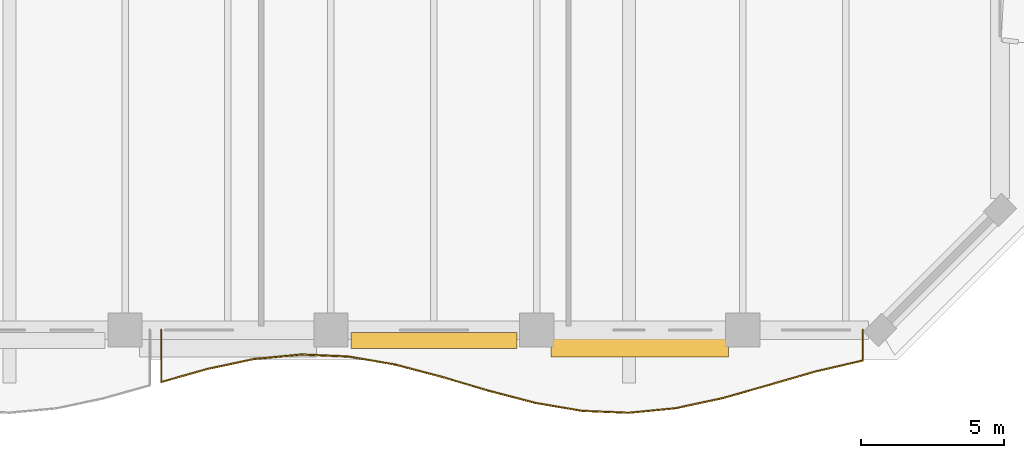
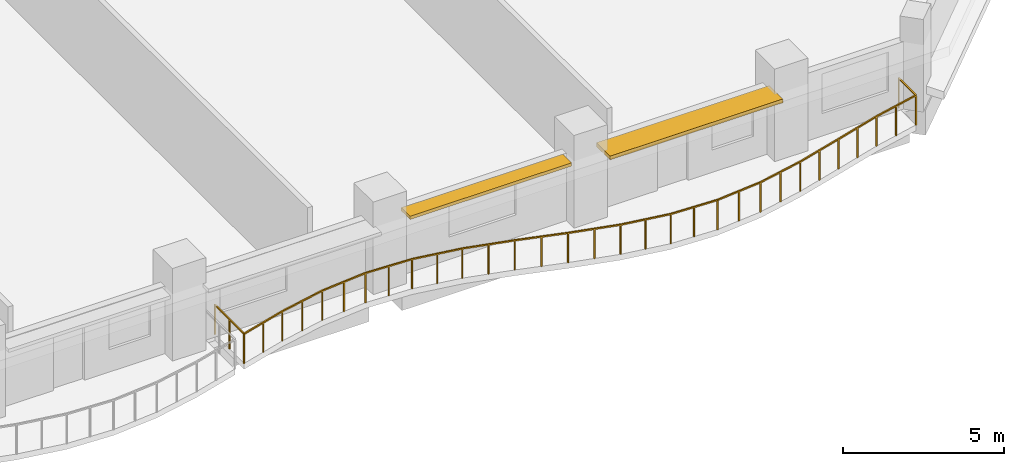
# One storey, part 14 of 15: 2 shading devices, 1 railing.
"""IFC4 building model written with IfcOpenShell, lengths in metres."""

import ifcopenshell
import ifcopenshell.guid

model = None  # the IFC model being written
_history = None  # IfcOwnerHistory: only IFC2X3 demands one
_inside = {}  # id of a spatial element -> (the spatial element, [elements in it])
_under = {}  # id of a project, library or spatial element -> (it, [spatial elements below it])
_declared = {}  # id of a project -> (the project, [libraries it declares])
_typed = {}  # id of a type object -> (the type object, [elements of that type])
_made_of = {}  # id of a material, layer set ... -> (it, [elements and type objects made of it])


def new_model(schema):
    """Start an empty IFC model of exactly this schema.

    Asked for "IFC4X3", IfcOpenShell would pick the latest addendum, in which some entities
    have other attributes; the version numbers below select the first issue.
    IFC2X3 requires an IfcOwnerHistory on every rooted entity: one is made here for all.
    """
    global model, _history
    if schema == "IFC4X3":
        model = ifcopenshell.file(schema_version=(4, 3, 0, 0))
    else:
        model = ifcopenshell.file(schema=schema)
    _inside.clear()
    _under.clear()
    _declared.clear()
    _typed.clear()
    _made_of.clear()
    _history = None
    if model.schema == "IFC2X3":
        org = make("IfcOrganization", Name="unknown")
        user = make(
            "IfcPersonAndOrganization",
            ThePerson=make("IfcPerson", FamilyName="unknown"),
            TheOrganization=org,
        )
        app = make(
            "IfcApplication",
            ApplicationDeveloper=org,
            Version="unknown",
            ApplicationFullName="unknown",
            ApplicationIdentifier="unknown",
        )
        _history = make(
            "IfcOwnerHistory",
            OwningUser=user,
            OwningApplication=app,
            ChangeAction="ADDED",
            CreationDate=0,
        )
    return model


def make(cls, **values):
    """One entity of the class cls with the attributes given. An attribute that is None is left unset."""
    return model.create_entity(
        cls, **{name: value for name, value in values.items() if value is not None}
    )


def rooted(cls, **values):
    """An entity with a GlobalId (a new one), such as an element, a storey or a relation."""
    return make(cls, GlobalId=ifcopenshell.guid.new(), OwnerHistory=_history, **values)


def si_unit(unit_type, name, prefix=None):
    """IfcSIUnit, for example si_unit("LENGTHUNIT", "METRE", prefix="MILLI")."""
    return make("IfcSIUnit", UnitType=unit_type, Prefix=prefix, Name=name)


def assignment(units):
    """IfcUnitAssignment: the units of a project."""
    return None if units is None else make("IfcUnitAssignment", Units=units)


def point(xyz):
    """IfcCartesianPoint."""
    return None if xyz is None else make("IfcCartesianPoint", Coordinates=xyz)


def direction(xyz):
    """IfcDirection."""
    return None if xyz is None else make("IfcDirection", DirectionRatios=xyz)


def frame(location, z_axis=None, x_axis=None):
    """IfcAxis2Placement3D, a coordinate frame: its origin and axes. An axis left out is left unset."""
    return make(
        "IfcAxis2Placement3D",
        Location=point(location),
        Axis=direction(z_axis),
        RefDirection=direction(x_axis),
    )


def frame_2d(location, x_axis=None):
    """IfcAxis2Placement2D, a coordinate frame in the plane: its origin and x axis."""
    return make(
        "IfcAxis2Placement2D", Location=point(location), RefDirection=direction(x_axis)
    )


def origin():
    """The frame at (0, 0, 0) with its axes left unset."""
    return frame((0.0, 0.0, 0.0))


def origin_2d():
    """The frame at (0, 0) in the plane with its x axis left unset."""
    return frame_2d((0.0, 0.0))


def place(relative_to, where):
    """IfcLocalPlacement: puts the frame where relative to a parent placement (None: the world)."""
    return make(
        "IfcLocalPlacement", PlacementRelTo=relative_to, RelativePlacement=where
    )


def context(
    kind, dimensions, precision=None, world=None, true_north=None, identifier=None
):
    """IfcGeometricRepresentationContext, for example the 3D "Model" context."""
    return make(
        "IfcGeometricRepresentationContext",
        ContextIdentifier=identifier,
        ContextType=kind,
        CoordinateSpaceDimension=dimensions,
        Precision=precision,
        WorldCoordinateSystem=world,
        TrueNorth=true_north,
    )


def subcontext(parent, identifier, kind, view, scale=None):
    """IfcGeometricRepresentationSubContext, for example "Body" below "Model"."""
    return make(
        "IfcGeometricRepresentationSubContext",
        ContextIdentifier=identifier,
        ContextType=kind,
        ParentContext=parent,
        TargetScale=scale,
        TargetView=view,
    )


def project(units=None, contexts=None):
    """IfcProject with its units and contexts."""
    return rooted(
        "IfcProject",
        Name="project",
        RepresentationContexts=contexts,
        UnitsInContext=assignment(units),
    )


def spatial(cls, under=None, at=None, **own):
    """A site, building, storey or space (cls), placed at a placement, below another one or the project."""
    s = rooted(cls, ObjectPlacement=at, **own)
    if under is not None:
        _under.setdefault(under.id(), (under, []))[1].append(s)
    return s


def profile(cls, at=None, kind="AREA", **sizes):
    """A parametric profile (cls). Its sizes go by their IFC names, for example OverallWidth=200.0."""
    return make(cls, ProfileType=kind, Position=at, **sizes)


def rectangle(**sizes):
    """IfcRectangleProfileDef."""
    return profile("IfcRectangleProfileDef", **sizes)


def extrude(swept, where, along, depth):
    """IfcExtrudedAreaSolid: the profile swept, set in the frame where, extruded along a direction by depth."""
    return make(
        "IfcExtrudedAreaSolid",
        SweptArea=swept,
        Position=where,
        ExtrudedDirection=direction(along),
        Depth=depth,
    )


def shape(context_of_items, identifier, shape_type, items):
    """IfcShapeRepresentation: the items that make up one representation, for example the "Body"."""
    return make(
        "IfcShapeRepresentation",
        ContextOfItems=context_of_items,
        RepresentationIdentifier=identifier,
        RepresentationType=shape_type,
        Items=items,
    )


def material(Name=None, Category=None):
    """IfcMaterial."""
    return make("IfcMaterial", Name=Name, Category=Category)


def layer(
    of_material, thickness, ventilated=None, Name=None, Category=None, Priority=None
):
    """IfcMaterialLayer: one layer of a wall or slab, of a material (None: an air gap)."""
    return make(
        "IfcMaterialLayer",
        Material=of_material,
        LayerThickness=thickness,
        IsVentilated=ventilated,
        Name=Name,
        Category=Category,
        Priority=Priority,
    )


def layer_set(layers, Name=None):
    """IfcMaterialLayerSet."""
    return make("IfcMaterialLayerSet", MaterialLayers=layers, LayerSetName=Name)


def made_of(thing, what):
    """Note that an element or type object is made of a material, layer set ...; save() writes the relation."""
    if what is not None:
        _made_of.setdefault(what.id(), (what, []))[1].append(thing)
    return thing


def type_object(cls, material=None, **own):
    """A type object (cls), such as IfcWallType, which elements share."""
    return made_of(rooted(cls, **own), material)


def element(
    cls,
    number,
    at=None,
    inside=None,
    cuts=None,
    type_object=None,
    material=None,
    context=None,
    identifier="Body",
    shape_type=None,
    held_by="IfcProductDefinitionShape",
    body=None,
    shapes=None,
    **own,
):
    """One element of the class cls, such as IfcWall. Its Tag is "e" and its number.

    at: its placement. inside: the storey or other place that contains it. cuts: it is an
    opening in that element (IfcRelVoidsElement). A single representation is given by context,
    identifier, shape_type and body (its items); several are given by shapes. held_by: the class
    of the entity that holds the representations. save() writes the other relations.
    """
    e = rooted(cls, Tag="e%d" % number, ObjectPlacement=at, **own)
    if body is not None:
        shapes = [shape(context, identifier, shape_type, body)]
    if shapes is not None:
        e.Representation = make(held_by, Representations=shapes)
    if inside is not None:
        _inside.setdefault(inside.id(), (inside, []))[1].append(e)
    if cuts is not None:
        rooted(
            "IfcRelVoidsElement", RelatingBuildingElement=cuts, RelatedOpeningElement=e
        )
    if type_object is not None:
        _typed.setdefault(type_object.id(), (type_object, []))[1].append(e)
    return made_of(e, material)


def aggregate(whole, parts):
    """IfcRelAggregates: a whole, such as a stair, and the parts it consists of."""
    return rooted("IfcRelAggregates", RelatingObject=whole, RelatedObjects=parts)


def save(model, path):
    """Write the relations noted so far, then the file.

    IfcRelAggregates (storeys below a building ...), IfcRelContainedInSpatialStructure (elements
    in a storey), IfcRelDefinesByType, IfcRelAssociatesMaterial and IfcRelDeclares: one each for
    every whole, place, type object, material and project.
    """
    for whole, parts in _under.values():
        aggregate(whole, parts)
    for where, things in _inside.values():
        rooted(
            "IfcRelContainedInSpatialStructure",
            RelatedElements=things,
            RelatingStructure=where,
        )
    for kind, things in _typed.values():
        rooted("IfcRelDefinesByType", RelatedObjects=things, RelatingType=kind)
    for what, things in _made_of.values():
        rooted("IfcRelAssociatesMaterial", RelatedObjects=things, RelatingMaterial=what)
    for by, libraries in _declared.values():
        rooted("IfcRelDeclares", RelatingContext=by, RelatedDefinitions=libraries)
    model.write(path)


model = new_model("IFC4")

# Units and contexts
model_context = context("Model", 3, precision=1e-05, world=origin(), true_north=direction((0.0, 1.0)))
body_context = subcontext(model_context, "Body", "Model", "MODEL_VIEW")
ifc_project = project(units=[si_unit("LENGTHUNIT", "METRE"), si_unit("AREAUNIT", "SQUARE_METRE"), si_unit("VOLUMEUNIT", "CUBIC_METRE"), si_unit("PLANEANGLEUNIT", "RADIAN"), si_unit("MASSUNIT", "GRAM", prefix="KILO")], contexts=[model_context])

# Site, building, storey
site_placement = place(None, origin())
site = spatial("IfcSite", under=ifc_project, at=site_placement, CompositionType="ELEMENT")
building_placement = place(site_placement, origin())
building = spatial("IfcBuilding", under=site, at=building_placement, Name="Kaelvorn Grand Hotel", CompositionType="ELEMENT")
storey_placement = place(building_placement, frame((0.0, 0.0, 96.800048828125)))
storey = spatial("IfcBuildingStorey", under=building, at=storey_placement, Name="L22", CompositionType="ELEMENT", Elevation=96.800048828125)

# Railing
ifc_material_1 = material(Name="Stainless Steel", Category="steel")
railing_type = type_object("IfcRailingType", Name="RL-BALC-1150", PredefinedType="BALUSTRADE", material=ifc_material_1)
railing_placement = place(storey_placement, frame((54.666748046875, 0.0, 0.0)))
element("IfcRailing", 1, at=railing_placement, inside=storey, type_object=railing_type, Name="L22 Scalloped Wave Balcony Balustrade GR1-3", PredefinedType="BALUSTRADE", context=body_context, shape_type="SweptSolid", body=[
    extrude(rectangle(XDim=0.048095703125, YDim=0.048095703125, at=origin_2d()), frame((0.0, 0.0, 1.1259765625), z_axis=(0.0, -1.0, 0.0), x_axis=(1.0, 0.0, 0.0)), (0.0, 0.0, 1.0), 1.8193359375),
    extrude(rectangle(XDim=0.048095703125, YDim=0.048095703125, at=origin_2d()), frame((0.0, -1.8193359375, 1.1259765625), z_axis=(0.962241545122, 0.272197003733, 0.0), x_axis=(-0.272197003733, 0.962241545122, 0.0)), (0.0, 0.0, 1.0), 1.69970703125),
    extrude(rectangle(XDim=0.048095703125, YDim=0.048095703125, at=origin_2d()), frame((1.635498046875, -1.356689453125, 1.1259765625), z_axis=(0.978174805455, 0.207783661466, 0.0), x_axis=(-0.207783661466, 0.978174805455, 0.0)), (0.0, 0.0, 1.0), 1.671875),
    extrude(rectangle(XDim=0.048095703125, YDim=0.048095703125, at=origin_2d()), frame((3.27099609375, -1.00927734375, 1.1259765625), z_axis=(0.995523480824, 0.09451454453, 0.0), x_axis=(-0.09451454453, 0.995523480824, 0.0)), (0.0, 0.0, 1.0), 1.642822265625),
    extrude(rectangle(XDim=0.048095703125, YDim=0.048095703125, at=origin_2d()), frame((4.906494140625, -0.85400390625, 1.1259765625), z_axis=(0.999045154146, -0.043689586592, 0.0), x_axis=(0.043689586592, 0.999045154146, 0.0)), (0.0, 0.0, 1.0), 1.63720703125),
    extrude(rectangle(XDim=0.048095703125, YDim=0.048095703125, at=origin_2d()), frame((6.542236328125, -0.925537109375, 1.1259765625), z_axis=(0.985410815118, -0.170192612792, 0.0), x_axis=(0.170192612792, 0.985410815118, 0.0)), (0.0, 0.0, 1.0), 1.65966796875),
    extrude(rectangle(XDim=0.048095703125, YDim=0.048095703125, at=origin_2d()), frame((8.177734375, -1.2080078125, 1.1259765625), z_axis=(0.967035258154, -0.254642513119, 0.0), x_axis=(0.254642513119, 0.967035258154, 0.0)), (0.0, 0.0, 1.0), 1.691162109375),
    extrude(rectangle(XDim=0.048095703125, YDim=0.048095703125, at=origin_2d()), frame((9.813232421875, -1.638671875, 1.1259765625), z_axis=(0.959066322629, -0.283181547419, 0.0), x_axis=(0.283181547419, 0.959066322629, 0.0)), (0.0, 0.0, 1.0), 1.705322265625),
    extrude(rectangle(XDim=0.048095703125, YDim=0.048095703125, at=origin_2d()), frame((11.44873046875, -2.12158203125, 1.1259765625), z_axis=(0.967363797332, -0.253391561839, 0.0), x_axis=(0.253391561839, 0.967363797332, 0.0)), (0.0, 0.0, 1.0), 1.69091796875),
    extrude(rectangle(XDim=0.048095703125, YDim=0.048095703125, at=origin_2d()), frame((13.08447265625, -2.550048828125, 1.1259765625), z_axis=(0.985827384416, -0.167762832995, 0.0), x_axis=(0.167762832995, 0.985827384416, 0.0)), (0.0, 0.0, 1.0), 1.658935546875),
    extrude(rectangle(XDim=0.048095703125, YDim=0.048095703125, at=origin_2d()), frame((14.719970703125, -2.828369140625, 1.1259765625), z_axis=(0.9991706558, -0.040718553371, 0.0), x_axis=(0.040718553371, 0.9991706558, 0.0)), (0.0, 0.0, 1.0), 1.636962890625),
    extrude(rectangle(XDim=0.048095703125, YDim=0.048095703125, at=origin_2d()), frame((16.35546875, -2.89501953125, 1.1259765625), z_axis=(0.995253950263, 0.097311738681, 0.0), x_axis=(-0.097311738681, 0.995253950263, 0.0)), (0.0, 0.0, 1.0), 1.643310546875),
    extrude(rectangle(XDim=0.048095703125, YDim=0.048095703125, at=origin_2d()), frame((17.990966796875, -2.735107421875, 1.1259765625), z_axis=(0.977727596313, 0.209877934542, 0.0), x_axis=(-0.209877934542, 0.977727596313, 0.0)), (0.0, 0.0, 1.0), 1.6728515625),
    extrude(rectangle(XDim=0.048095703125, YDim=0.048095703125, at=origin_2d()), frame((19.62646484375, -2.384033203125, 1.1259765625), z_axis=(0.962026235743, 0.272956996141, 0.0), x_axis=(-0.272956996141, 0.962026235743, 0.0)), (0.0, 0.0, 1.0), 1.7001953125),
    extrude(rectangle(XDim=0.048095703125, YDim=0.048095703125, at=origin_2d()), frame((21.26220703125, -1.919921875, 1.1259765625), z_axis=(0.960494697942, 0.278298284625, 0.0), x_axis=(-0.278298284625, 0.960494697942, 0.0)), (0.0, 0.0, 1.0), 1.702880859375),
    extrude(rectangle(XDim=0.048095703125, YDim=0.048095703125, at=origin_2d()), frame((22.897705078125, -1.446044921875, 1.1259765625), z_axis=(0.974229174149, 0.225560449187, 0.0), x_axis=(-0.225560449187, 0.974229174149, 0.0)), (0.0, 0.0, 1.0), 1.6787109375),
    extrude(rectangle(XDim=0.048095703125, YDim=0.048095703125, at=origin_2d()), frame((24.533203125, -1.0673828125, 1.1259765625), z_axis=(0.0, 1.0, 0.0), x_axis=(-1.0, 0.0, 0.0)), (0.0, 0.0, 1.0), 1.0673828125),
    extrude(rectangle(XDim=0.0419921875, YDim=0.0419921875, at=origin_2d()), origin(), (0.0, 0.0, 1.0), 1.101806640625),
    extrude(rectangle(XDim=0.0419921875, YDim=0.0419921875, at=origin_2d()), frame((0.0, -0.90966796875, 0.0)), (0.0, 0.0, 1.0), 1.101806640625),
    extrude(rectangle(XDim=0.0419921875, YDim=0.0419921875, at=origin_2d()), frame((0.0, -1.8193359375, 0.0)), (0.0, 0.0, 1.0), 1.101806640625),
    extrude(rectangle(XDim=0.0419921875, YDim=0.0419921875, at=origin_2d()), frame((0.81787109375, -1.587890625, 0.0)), (0.0, 0.0, 1.0), 1.101806640625),
    extrude(rectangle(XDim=0.0419921875, YDim=0.0419921875, at=origin_2d()), frame((1.635498046875, -1.356689453125, 0.0)), (0.0, 0.0, 1.0), 1.101806640625),
    extrude(rectangle(XDim=0.0419921875, YDim=0.0419921875, at=origin_2d()), frame((2.453125, -1.18310546875, 0.0)), (0.0, 0.0, 1.0), 1.101806640625),
    extrude(rectangle(XDim=0.0419921875, YDim=0.0419921875, at=origin_2d()), frame((3.27099609375, -1.00927734375, 0.0)), (0.0, 0.0, 1.0), 1.101806640625),
    extrude(rectangle(XDim=0.0419921875, YDim=0.0419921875, at=origin_2d()), frame((4.0888671875, -0.931640625, 0.0)), (0.0, 0.0, 1.0), 1.101806640625),
    extrude(rectangle(XDim=0.0419921875, YDim=0.0419921875, at=origin_2d()), frame((4.906494140625, -0.85400390625, 0.0)), (0.0, 0.0, 1.0), 1.101806640625),
    extrude(rectangle(XDim=0.0419921875, YDim=0.0419921875, at=origin_2d()), frame((5.724365234375, -0.8896484375, 0.0)), (0.0, 0.0, 1.0), 1.101806640625),
    extrude(rectangle(XDim=0.0419921875, YDim=0.0419921875, at=origin_2d()), frame((6.542236328125, -0.925537109375, 0.0)), (0.0, 0.0, 1.0), 1.101806640625),
    extrude(rectangle(XDim=0.0419921875, YDim=0.0419921875, at=origin_2d()), frame((7.35986328125, -1.06689453125, 0.0)), (0.0, 0.0, 1.0), 1.101806640625),
    extrude(rectangle(XDim=0.0419921875, YDim=0.0419921875, at=origin_2d()), frame((8.177734375, -1.2080078125, 0.0)), (0.0, 0.0, 1.0), 1.101806640625),
    extrude(rectangle(XDim=0.0419921875, YDim=0.0419921875, at=origin_2d()), frame((8.99560546875, -1.42333984375, 0.0)), (0.0, 0.0, 1.0), 1.101806640625),
    extrude(rectangle(XDim=0.0419921875, YDim=0.0419921875, at=origin_2d()), frame((9.813232421875, -1.638671875, 0.0)), (0.0, 0.0, 1.0), 1.101806640625),
    extrude(rectangle(XDim=0.0419921875, YDim=0.0419921875, at=origin_2d()), frame((10.630859375, -1.880126953125, 0.0)), (0.0, 0.0, 1.0), 1.101806640625),
    extrude(rectangle(XDim=0.0419921875, YDim=0.0419921875, at=origin_2d()), frame((11.44873046875, -2.12158203125, 0.0)), (0.0, 0.0, 1.0), 1.101806640625),
    extrude(rectangle(XDim=0.0419921875, YDim=0.0419921875, at=origin_2d()), frame((12.2666015625, -2.3359375, 0.0)), (0.0, 0.0, 1.0), 1.101806640625),
    extrude(rectangle(XDim=0.0419921875, YDim=0.0419921875, at=origin_2d()), frame((13.08447265625, -2.550048828125, 0.0)), (0.0, 0.0, 1.0), 1.101806640625),
    extrude(rectangle(XDim=0.0419921875, YDim=0.0419921875, at=origin_2d()), frame((13.90234375, -2.689208984375, 0.0)), (0.0, 0.0, 1.0), 1.101806640625),
    extrude(rectangle(XDim=0.0419921875, YDim=0.0419921875, at=origin_2d()), frame((14.719970703125, -2.828369140625, 0.0)), (0.0, 0.0, 1.0), 1.101806640625),
    extrude(rectangle(XDim=0.0419921875, YDim=0.0419921875, at=origin_2d()), frame((15.53759765625, -2.86181640625, 0.0)), (0.0, 0.0, 1.0), 1.101806640625),
    extrude(rectangle(XDim=0.0419921875, YDim=0.0419921875, at=origin_2d()), frame((16.35546875, -2.89501953125, 0.0)), (0.0, 0.0, 1.0), 1.101806640625),
    extrude(rectangle(XDim=0.0419921875, YDim=0.0419921875, at=origin_2d()), frame((17.17333984375, -2.81494140625, 0.0)), (0.0, 0.0, 1.0), 1.101806640625),
    extrude(rectangle(XDim=0.0419921875, YDim=0.0419921875, at=origin_2d()), frame((17.990966796875, -2.735107421875, 0.0)), (0.0, 0.0, 1.0), 1.101806640625),
    extrude(rectangle(XDim=0.0419921875, YDim=0.0419921875, at=origin_2d()), frame((18.80859375, -2.5595703125, 0.0)), (0.0, 0.0, 1.0), 1.101806640625),
    extrude(rectangle(XDim=0.0419921875, YDim=0.0419921875, at=origin_2d()), frame((19.62646484375, -2.384033203125, 0.0)), (0.0, 0.0, 1.0), 1.101806640625),
    extrude(rectangle(XDim=0.0419921875, YDim=0.0419921875, at=origin_2d()), frame((20.4443359375, -2.15185546875, 0.0)), (0.0, 0.0, 1.0), 1.101806640625),
    extrude(rectangle(XDim=0.0419921875, YDim=0.0419921875, at=origin_2d()), frame((21.26220703125, -1.919921875, 0.0)), (0.0, 0.0, 1.0), 1.101806640625),
    extrude(rectangle(XDim=0.0419921875, YDim=0.0419921875, at=origin_2d()), frame((22.080078125, -1.68310546875, 0.0)), (0.0, 0.0, 1.0), 1.101806640625),
    extrude(rectangle(XDim=0.0419921875, YDim=0.0419921875, at=origin_2d()), frame((22.897705078125, -1.446044921875, 0.0)), (0.0, 0.0, 1.0), 1.101806640625),
    extrude(rectangle(XDim=0.0419921875, YDim=0.0419921875, at=origin_2d()), frame((23.71533203125, -1.2568359375, 0.0)), (0.0, 0.0, 1.0), 1.101806640625),
    extrude(rectangle(XDim=0.0419921875, YDim=0.0419921875, at=origin_2d()), frame((24.533203125, -1.0673828125, 0.0)), (0.0, 0.0, 1.0), 1.101806640625),
    extrude(rectangle(XDim=0.0419921875, YDim=0.0419921875, at=origin_2d()), frame((24.533203125, 0.0, 0.0)), (0.0, 0.0, 1.0), 1.101806640625),
])

# Shading devices
ifc_material_2 = material(Name="Precast concrete C45/55", Category="concrete")
ifc_layer_1 = layer(ifc_material_2, 0.1201171875)
ifc_layer_set_1 = layer_set([ifc_layer_1], Name="Precast concrete C45/55")
shading_device_type_1 = type_object("IfcShadingDeviceType", Name="SHD-SUNSHADE-550", PredefinedType="USERDEFINED", material=ifc_layer_set_1)
shading_device_1_placement = place(storey_placement, frame((64.199951171875, -0.364990234375, 2.419921875), z_axis=(0.0, 0.0, 1.0), x_axis=(1.0, 0.0, 0.0)))
element("IfcShadingDevice", 2, at=shading_device_1_placement, inside=storey, type_object=shading_device_type_1, Name="L22 Horizontal Concrete Sunshade Band SS-09", ObjectType="SUNSHADE", PredefinedType="USERDEFINED", context=body_context, shape_type="SweptSolid", body=[
    extrude(rectangle(XDim=5.800048828125, YDim=0.550048828125, at=origin_2d()), origin(), (0.0, 0.0, 1.0), 0.1201171875),
])
ifc_layer_2 = layer(ifc_material_2, 0.139892578125)
ifc_layer_set_2 = layer_set([ifc_layer_2], Name="Precast concrete C45/55")
shading_device_type_2 = type_object("IfcShadingDeviceType", Name="SHD-SUNSHADE-850", PredefinedType="USERDEFINED", material=ifc_layer_set_2)
shading_device_2_placement = place(storey_placement, frame((71.39990234375, -0.514892578125, 2.41015625), z_axis=(0.0, 0.0, 1.0), x_axis=(1.0, 0.0, 0.0)))
element("IfcShadingDevice", 3, at=shading_device_2_placement, inside=storey, type_object=shading_device_type_2, Name="L22 Horizontal Concrete Sunshade Band SS-10", ObjectType="SUNSHADE", PredefinedType="USERDEFINED", context=body_context, shape_type="SweptSolid", body=[
    extrude(rectangle(XDim=6.199951171875, YDim=0.85009765625, at=origin_2d()), origin(), (0.0, 0.0, 1.0), 0.139892578125),
])

save(model, "model.ifc")
